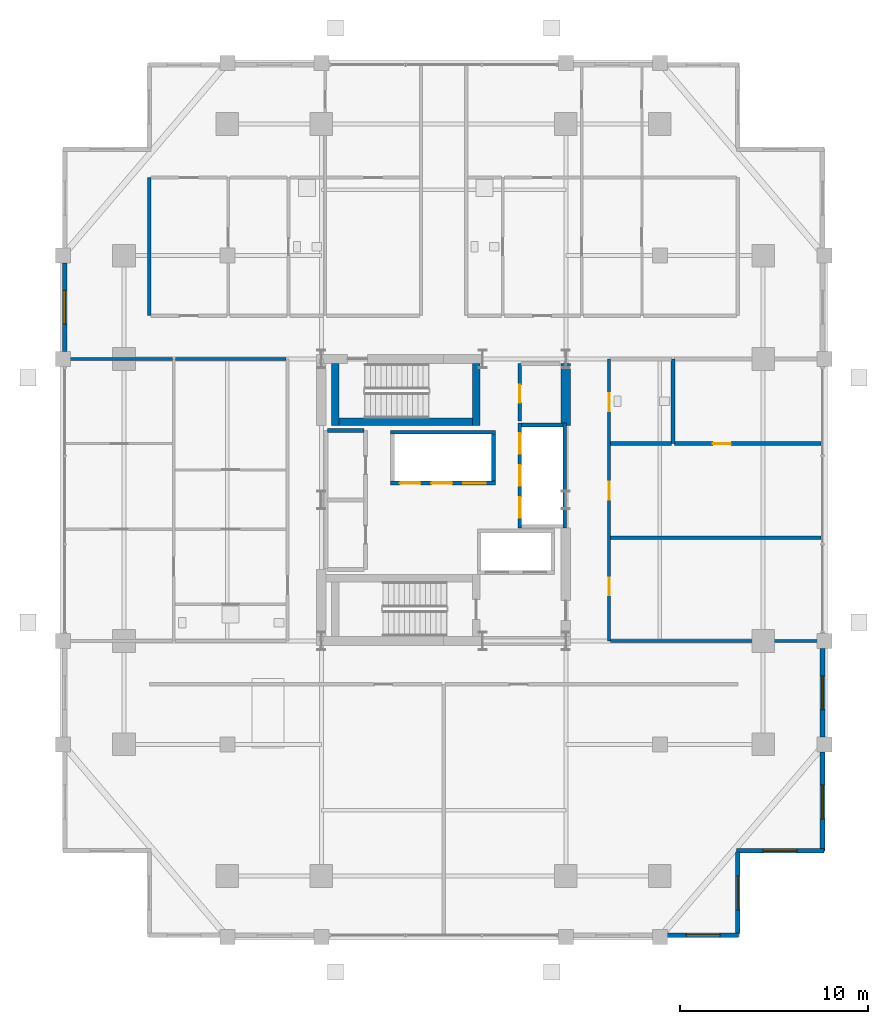
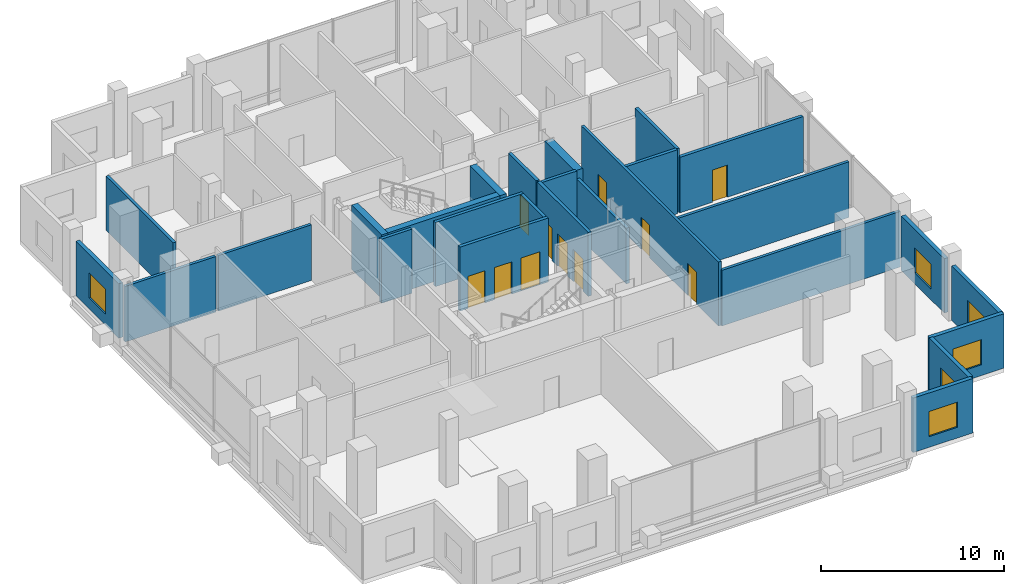
# One storey, part 15 of 19: 27 walls, 11 doors, 6 windows, 17 openings.
"""IFC4 building model written with IfcOpenShell, lengths in metres."""

from ifc_helpers import new_model, si_unit, direction, frame, frame_2d, origin, place, context, subcontext, project, spatial, rectangle, extrude, material, layer, layer_set, type_object, element, fill, save


model = new_model("IFC4")

# Units and contexts
model_context = context("Model", 3, precision=1e-05, world=origin(), true_north=direction((0.0, 1.0)))
body_context = subcontext(model_context, "Body", "Model", "MODEL_VIEW")
ifc_project = project(units=[si_unit("LENGTHUNIT", "METRE"), si_unit("AREAUNIT", "SQUARE_METRE"), si_unit("VOLUMEUNIT", "CUBIC_METRE"), si_unit("PLANEANGLEUNIT", "RADIAN"), si_unit("MASSUNIT", "GRAM", prefix="KILO")], contexts=[model_context])

# Site, building, storey
site_placement = place(None, origin())
site = spatial("IfcSite", under=ifc_project, at=site_placement, CompositionType="ELEMENT")
building_placement = place(site_placement, origin())
building = spatial("IfcBuilding", under=site, at=building_placement, Name="Barlavira Tower and Art Museum", CompositionType="ELEMENT")
storey_placement = place(building_placement, frame((0.0, 0.0, 125.10009765625)))
storey = spatial("IfcBuildingStorey", under=building, at=storey_placement, Name="L31", CompositionType="ELEMENT", Elevation=125.10009765625)

# Wall
ifc_material_1 = material(Name="Concrete C60", Category="concrete")
ifc_layer_1 = layer(ifc_material_1, 0.5, Name="Concrete C60")
ifc_layer_set_1 = layer_set([ifc_layer_1], Name="Concrete C60")
wall_type_1 = type_object("IfcWallType", Name="Core Structural Shear Wall 500 Concrete C60", PredefinedType="SHEAR", material=ifc_layer_set_1)
wall_1_placement = place(storey_placement, frame((6.5, 3.949951171875, 0.0), z_axis=(0.0, 0.0, 1.0), x_axis=(0.0, 1.0, 0.0)))
element("IfcWall", 1, at=wall_1_placement, inside=storey, type_object=wall_type_1, Name="L31 Core Shear Wall CS-E2", PredefinedType="SHEAR", context=body_context, shape_type="SweptSolid", body=[
    extrude(rectangle(XDim=3.300048828125, YDim=0.5, at=frame_2d((1.64990234375, 0.0))), origin(), (0.0, 0.0, 1.0), 4.27978515625),
])

# Wall, openings, doors
ifc_material_2 = material(Name="Autoclaved aerated concrete masonry", Category="masonry")
ifc_layer_2 = layer(ifc_material_2, 0.199951171875, Name="Autoclaved aerated concrete masonry")
ifc_layer_set_2 = layer_set([ifc_layer_2], Name="Autoclaved aerated concrete masonry")
wall_type_2 = type_object("IfcWallType", Name="Fire Compartment and Shaft Wall 200", PredefinedType="SOLIDWALL", material=ifc_layer_set_2)
wall_2_placement = place(storey_placement, frame((4.050048828125, -1.489990234375, 0.0), z_axis=(0.0, 0.0, 1.0), x_axis=(0.0, 1.0, 0.0)))
wall_2 = element("IfcWall", 2, at=wall_2_placement, inside=storey, type_object=wall_type_2, Name="L31 Mid-Rise Lift Front Shaft Wall", PredefinedType="SOLIDWALL", context=body_context, shape_type="SweptSolid", body=[
    extrude(rectangle(XDim=5.580078125, YDim=0.199951171875, at=frame_2d((2.7900390625, 0.0))), origin(), (0.0, 0.0, 1.0), 4.27978515625),
])
opening_1_placement = place(wall_2_placement, frame((0.5400390625, 0.0, 0.0)))
opening_1 = element("IfcOpeningElement", 3, at=opening_1_placement, cuts=wall_2, Name="Opening LD-P", PredefinedType="OPENING", context=body_context, shape_type="SweptSolid", body=[
    extrude(rectangle(XDim=1.10009765625, YDim=2.14990234375, at=frame_2d((0.550048828125, 1.074951171875))), frame((0.0, 0.10986328125, 0.0), z_axis=(0.0, -1.0, 0.0), x_axis=(1.0, 0.0, 0.0)), (0.0, 0.0, 1.0), 0.219970703125),
])
opening_2_placement = place(wall_2_placement, frame((2.239990234375, 0.0, 0.0)))
opening_2 = element("IfcOpeningElement", 4, at=opening_2_placement, cuts=wall_2, Name="Opening LD-P", PredefinedType="OPENING", context=body_context, shape_type="SweptSolid", body=[
    extrude(rectangle(XDim=1.10009765625, YDim=2.14990234375, at=frame_2d((0.550048828125, 1.074951171875))), frame((0.0, 0.10986328125, 0.0), z_axis=(0.0, -1.0, 0.0), x_axis=(1.0, 0.0, 0.0)), (0.0, 0.0, 1.0), 0.219970703125),
])
opening_3_placement = place(wall_2_placement, frame((3.93994140625, 0.0, 0.0)))
opening_3 = element("IfcOpeningElement", 5, at=opening_3_placement, cuts=wall_2, Name="Opening LD-P", PredefinedType="OPENING", context=body_context, shape_type="SweptSolid", body=[
    extrude(rectangle(XDim=1.10009765625, YDim=2.14990234375, at=frame_2d((0.550048828125, 1.074951171875))), frame((0.0, 0.10986328125, 0.0), z_axis=(0.0, -1.0, 0.0), x_axis=(1.0, 0.0, 0.0)), (0.0, 0.0, 1.0), 0.219970703125),
])
ifc_material_3 = material(Name="Brushed stainless steel", Category="steel")
door_type_1 = type_object("IfcDoorType", Name="Passenger Lift Sliding Landing Door 1100x2150 FD60", OperationType="NOTDEFINED", PredefinedType="DOOR", material=ifc_material_3)
door_1_placement = place(opening_1_placement, origin())
door_1 = element("IfcDoor", 6, at=door_1_placement, inside=storey, type_object=door_type_1, Name="L31 Lift PM1 Sliding Landing Door", OperationType="DOUBLE_DOOR_SLIDING", OverallHeight=2.14990234375, OverallWidth=1.10009765625, PredefinedType="DOOR", context=body_context, shape_type="SweptSolid", body=[
    extrude(rectangle(XDim=1.10009765625, YDim=2.14990234375, at=frame_2d((0.550048828125, 1.074951171875))), frame((0.0, 0.02490234375, 0.0), z_axis=(0.0, -1.0, 0.0), x_axis=(1.0, 0.0, 0.0)), (0.0, 0.0, 1.0), 0.050048828125),
])
fill(opening_1, door_1)
door_2_placement = place(opening_2_placement, origin())
door_2 = element("IfcDoor", 7, at=door_2_placement, inside=storey, type_object=door_type_1, Name="L31 Lift PM2 Sliding Landing Door", OperationType="DOUBLE_DOOR_SLIDING", OverallHeight=2.14990234375, OverallWidth=1.10009765625, PredefinedType="DOOR", context=body_context, shape_type="SweptSolid", body=[
    extrude(rectangle(XDim=1.10009765625, YDim=2.14990234375, at=frame_2d((0.550048828125, 1.074951171875))), frame((0.0, 0.02490234375, 0.0), z_axis=(0.0, -1.0, 0.0), x_axis=(1.0, 0.0, 0.0)), (0.0, 0.0, 1.0), 0.050048828125),
])
fill(opening_2, door_2)
door_3_placement = place(opening_3_placement, origin())
door_3 = element("IfcDoor", 8, at=door_3_placement, inside=storey, type_object=door_type_1, Name="L31 Lift PM3 Sliding Landing Door", OperationType="DOUBLE_DOOR_SLIDING", OverallHeight=2.14990234375, OverallWidth=1.10009765625, PredefinedType="DOOR", context=body_context, shape_type="SweptSolid", body=[
    extrude(rectangle(XDim=1.10009765625, YDim=2.14990234375, at=frame_2d((0.550048828125, 1.074951171875))), frame((0.0, 0.02490234375, 0.0), z_axis=(0.0, -1.0, 0.0), x_axis=(1.0, 0.0, 0.0)), (0.0, 0.0, 1.0), 0.050048828125),
])
fill(opening_3, door_3)

# Walls
wall_3_placement = place(storey_placement, frame((6.449951171875, -1.489990234375, 0.0), z_axis=(0.0, 0.0, 1.0), x_axis=(0.0, 1.0, 0.0)))
element("IfcWall", 9, at=wall_3_placement, inside=storey, type_object=wall_type_2, Name="L31 Mid-Rise Lift Back Shaft Wall", PredefinedType="SOLIDWALL", context=body_context, shape_type="SweptSolid", body=[
    extrude(rectangle(XDim=5.580078125, YDim=0.199951171875, at=frame_2d((2.7900390625, 0.0))), origin(), (0.0, 0.0, 1.0), 3.7158203125),
])
wall_4_placement = place(storey_placement, frame((4.14990234375, 3.989990234375, 0.0), z_axis=(0.0, 0.0, 1.0), x_axis=(1.0, 0.0, 0.0)))
element("IfcWall", 10, at=wall_4_placement, inside=storey, type_object=wall_type_2, Name="L31 Mid-Rise Lift North Shaft Wall", PredefinedType="SOLIDWALL", context=body_context, shape_type="SweptSolid", body=[
    extrude(rectangle(XDim=2.2001953125, YDim=0.199951171875, at=frame_2d((1.10009765625, 0.0))), origin(), (0.0, 0.0, 1.0), 4.27978515625),
])

# Wall, openings, doors
wall_5_placement = place(storey_placement, frame((-2.820068359375, 0.89990234375, 0.0), z_axis=(0.0, 0.0, 1.0), x_axis=(1.0, 0.0, 0.0)))
wall_5 = element("IfcWall", 11, at=wall_5_placement, inside=storey, type_object=wall_type_2, Name="L31 High-Rise & Service Lift Front Wall", PredefinedType="SOLIDWALL", context=body_context, shape_type="SweptSolid", body=[
    extrude(rectangle(XDim=5.580078125, YDim=0.199951171875, at=frame_2d((2.7900390625, 0.0))), origin(), (0.0, 0.0, 1.0), 4.27978515625),
])
opening_4_placement = place(wall_5_placement, frame((0.489990234375, 0.0, 0.0)))
opening_4 = element("IfcOpeningElement", 12, at=opening_4_placement, cuts=wall_5, Name="Opening LD-P", PredefinedType="OPENING", context=body_context, shape_type="SweptSolid", body=[
    extrude(rectangle(XDim=1.10009765625, YDim=2.14990234375, at=frame_2d((0.550048828125, 1.074951171875))), frame((0.0, 0.10986328125, 0.0), z_axis=(0.0, -1.0, 0.0), x_axis=(1.0, 0.0, 0.0)), (0.0, 0.0, 1.0), 0.219970703125),
])
opening_5_placement = place(wall_5_placement, frame((2.169921875, 0.0, 0.0)))
opening_5 = element("IfcOpeningElement", 13, at=opening_5_placement, cuts=wall_5, Name="Opening LD-P", PredefinedType="OPENING", context=body_context, shape_type="SweptSolid", body=[
    extrude(rectangle(XDim=1.10009765625, YDim=2.14990234375, at=frame_2d((0.550048828125, 1.074951171875))), frame((0.0, 0.10986328125, 0.0), z_axis=(0.0, -1.0, 0.0), x_axis=(1.0, 0.0, 0.0)), (0.0, 0.0, 1.0), 0.219970703125),
])
opening_6_placement = place(wall_5_placement, frame((3.860107421875, 0.0, 0.0)))
opening_6 = element("IfcOpeningElement", 14, at=opening_6_placement, cuts=wall_5, Name="Opening LD-F", PredefinedType="OPENING", context=body_context, shape_type="SweptSolid", body=[
    extrude(rectangle(XDim=1.199951171875, YDim=2.199951171875, at=frame_2d((0.60009765625, 1.10009765625))), frame((0.0, 0.10986328125, 0.0), z_axis=(0.0, -1.0, 0.0), x_axis=(1.0, 0.0, 0.0)), (0.0, 0.0, 1.0), 0.219970703125),
])
door_type_2 = type_object("IfcDoorType", Name="Firefighting and Service Lift Sliding Door 1200x2200 FD120", OperationType="NOTDEFINED", PredefinedType="DOOR", material=ifc_material_3)
door_4_placement = place(opening_6_placement, origin())
door_4 = element("IfcDoor", 15, at=door_4_placement, inside=storey, type_object=door_type_2, Name="L31 Stretcher Service Lift SL1 Sliding Door", OperationType="DOUBLE_DOOR_SLIDING", OverallHeight=2.199951171875, OverallWidth=1.199951171875, PredefinedType="DOOR", context=body_context, shape_type="SweptSolid", body=[
    extrude(rectangle(XDim=1.199951171875, YDim=2.199951171875, at=frame_2d((0.60009765625, 1.10009765625))), frame((0.0, 0.02490234375, 0.0), z_axis=(0.0, -1.0, 0.0), x_axis=(1.0, 0.0, 0.0)), (0.0, 0.0, 1.0), 0.050048828125),
])
fill(opening_6, door_4)
door_5_placement = place(opening_4_placement, origin())
door_5 = element("IfcDoor", 16, at=door_5_placement, inside=storey, type_object=door_type_1, Name="L31 Lift PH1 Sliding Landing Door", OperationType="DOUBLE_DOOR_SLIDING", OverallHeight=2.14990234375, OverallWidth=1.10009765625, PredefinedType="DOOR", context=body_context, shape_type="SweptSolid", body=[
    extrude(rectangle(XDim=1.10009765625, YDim=2.14990234375, at=frame_2d((0.550048828125, 1.074951171875))), frame((0.0, 0.02490234375, 0.0), z_axis=(0.0, -1.0, 0.0), x_axis=(1.0, 0.0, 0.0)), (0.0, 0.0, 1.0), 0.050048828125),
])
fill(opening_4, door_5)
door_6_placement = place(opening_5_placement, origin())
door_6 = element("IfcDoor", 17, at=door_6_placement, inside=storey, type_object=door_type_1, Name="L31 Lift PH2 Sliding Landing Door", OperationType="DOUBLE_DOOR_SLIDING", OverallHeight=2.14990234375, OverallWidth=1.10009765625, PredefinedType="DOOR", context=body_context, shape_type="SweptSolid", body=[
    extrude(rectangle(XDim=1.10009765625, YDim=2.14990234375, at=frame_2d((0.550048828125, 1.074951171875))), frame((0.0, 0.02490234375, 0.0), z_axis=(0.0, -1.0, 0.0), x_axis=(1.0, 0.0, 0.0)), (0.0, 0.0, 1.0), 0.050048828125),
])
fill(opening_5, door_6)

# Walls
wall_6_placement = place(storey_placement, frame((-2.820068359375, 3.60009765625, 0.0), z_axis=(0.0, 0.0, 1.0), x_axis=(1.0, 0.0, 0.0)))
element("IfcWall", 18, at=wall_6_placement, inside=storey, type_object=wall_type_2, Name="L31 High-Rise & Service Lift Back Wall", PredefinedType="SOLIDWALL", context=body_context, shape_type="SweptSolid", body=[
    extrude(rectangle(XDim=5.580078125, YDim=0.199951171875, at=frame_2d((2.7900390625, 0.0))), origin(), (0.0, 0.0, 1.0), 4.27978515625),
])
wall_7_placement = place(storey_placement, frame((2.659912109375, 1.0, 0.0), z_axis=(0.0, 0.0, 1.0), x_axis=(0.0, 1.0, 0.0)))
element("IfcWall", 19, at=wall_7_placement, inside=storey, type_object=wall_type_2, Name="L31 High-Rise & Service Lift East Wall", PredefinedType="SOLIDWALL", context=body_context, shape_type="SweptSolid", body=[
    extrude(rectangle(XDim=2.5, YDim=0.199951171875, at=frame_2d((1.25, 0.0))), origin(), (0.0, 0.0, 1.0), 4.27978515625),
])

# Wall, opening, door
wall_8_placement = place(storey_placement, frame((4.050048828125, 4.199951171875, 0.0), z_axis=(0.0, 0.0, 1.0), x_axis=(0.0, 1.0, 0.0)))
wall_8 = element("IfcWall", 20, at=wall_8_placement, inside=storey, type_object=wall_type_2, Name="L31 Partition Wall 13", PredefinedType="SOLIDWALL", context=body_context, shape_type="SweptSolid", body=[
    extrude(rectangle(XDim=3.050048828125, YDim=0.199951171875, at=frame_2d((1.52490234375, 0.0))), origin(), (0.0, 0.0, 1.0), 4.27978515625),
])
opening_7_placement = place(wall_8_placement, frame((0.97509765625, 0.0, 0.0)))
opening_7 = element("IfcOpeningElement", 21, at=opening_7_placement, cuts=wall_8, Name="Opening FD-60", PredefinedType="OPENING", context=body_context, shape_type="SweptSolid", body=[
    extrude(rectangle(XDim=0.949951171875, YDim=2.14990234375, at=frame_2d((0.47509765625, 1.074951171875))), frame((0.0, 0.10986328125, 0.0), z_axis=(0.0, -1.0, 0.0), x_axis=(1.0, 0.0, 0.0)), (0.0, 0.0, 1.0), 0.219970703125),
])
door_type_3 = type_object("IfcDoorType", Name="Apartment Entrance and Riser Fire Door 950x2150 FD60S", OperationType="NOTDEFINED", PredefinedType="DOOR", material=ifc_material_3)
door_7_placement = place(opening_7_placement, origin())
door_7 = element("IfcDoor", 22, at=door_7_placement, inside=storey, type_object=door_type_3, Name="Combined Electrical and Telecom Plant Room Door", OperationType="SINGLE_SWING_RIGHT", OverallHeight=2.14990234375, OverallWidth=0.949951171875, PredefinedType="DOOR", context=body_context, shape_type="SweptSolid", body=[
    extrude(rectangle(XDim=0.949951171875, YDim=2.14990234375, at=frame_2d((0.47509765625, 1.074951171875))), frame((0.0, 0.02490234375, 0.0), z_axis=(0.0, -1.0, 0.0), x_axis=(1.0, 0.0, 0.0)), (0.0, 0.0, 1.0), 0.050048828125),
])
fill(opening_7, door_7)

# Walls
wall_9_placement = place(storey_placement, frame((12.199951171875, 3.0, 0.0), z_axis=(0.0, 0.0, 1.0), x_axis=(0.0, 1.0, 0.0)))
element("IfcWall", 23, at=wall_9_placement, inside=storey, type_object=wall_type_2, Name="L31 Partition Wall 17", PredefinedType="SOLIDWALL", context=body_context, shape_type="SweptSolid", body=[
    extrude(rectangle(XDim=4.5, YDim=0.199951171875, at=frame_2d((2.25, 0.0))), origin(), (0.0, 0.0, 1.0), 4.27978515625),
])
wall_10_placement = place(storey_placement, frame((8.8798828125, 3.0, 0.0), z_axis=(0.0, 0.0, 1.0), x_axis=(1.0, 0.0, 0.0)))
element("IfcWall", 24, at=wall_10_placement, inside=storey, type_object=wall_type_2, Name="L31 Partition Wall 32", PredefinedType="SOLIDWALL", context=body_context, shape_type="SweptSolid", body=[
    extrude(rectangle(XDim=3.240234375, YDim=0.199951171875, at=frame_2d((1.6201171875, 0.0))), origin(), (0.0, 0.0, 1.0), 4.27978515625),
])

# Wall, opening, door
wall_11_placement = place(storey_placement, frame((12.280029296875, 3.0, 0.0), z_axis=(0.0, 0.0, 1.0), x_axis=(1.0, 0.0, 0.0)))
wall_11 = element("IfcWall", 25, at=wall_11_placement, inside=storey, type_object=wall_type_2, Name="L31 Partition Wall 33", PredefinedType="SOLIDWALL", context=body_context, shape_type="SweptSolid", body=[
    extrude(rectangle(XDim=7.7900390625, YDim=0.199951171875, at=frame_2d((3.89501953125, 0.0))), origin(), (0.0, 0.0, 1.0), 3.7158203125),
])
opening_8_placement = place(wall_11_placement, frame((2.044921875, 0.0, 0.0)))
opening_8 = element("IfcOpeningElement", 26, at=opening_8_placement, cuts=wall_11, Name="Opening FD-60", PredefinedType="OPENING", context=body_context, shape_type="SweptSolid", body=[
    extrude(rectangle(XDim=0.949951171875, YDim=2.14990234375, at=frame_2d((0.47509765625, 1.074951171875))), frame((0.0, 0.10986328125, 0.0), z_axis=(0.0, -1.0, 0.0), x_axis=(1.0, 0.0, 0.0)), (0.0, 0.0, 1.0), 0.219970703125),
])
door_8_placement = place(opening_8_placement, origin())
door_8 = element("IfcDoor", 27, at=door_8_placement, inside=storey, type_object=door_type_3, Name="Sky Concierge Luggage Store Door", OperationType="SINGLE_SWING_RIGHT", OverallHeight=2.14990234375, OverallWidth=0.949951171875, PredefinedType="DOOR", context=body_context, shape_type="SweptSolid", body=[
    extrude(rectangle(XDim=0.949951171875, YDim=2.14990234375, at=frame_2d((0.47509765625, 1.074951171875))), frame((0.0, 0.02490234375, 0.0), z_axis=(0.0, -1.0, 0.0), x_axis=(1.0, 0.0, 0.0)), (0.0, 0.0, 1.0), 0.050048828125),
])
fill(opening_8, door_8)

# Walls
wall_12_placement = place(storey_placement, frame((-6.169921875, 3.699951171875, 0.0), z_axis=(0.0, 0.0, 1.0), x_axis=(1.0, 0.0, 0.0)))
element("IfcWall", 28, at=wall_12_placement, inside=storey, type_object=wall_type_2, Name="L31 Partition Wall 34", PredefinedType="SOLIDWALL", context=body_context, shape_type="SweptSolid", body=[
    extrude(rectangle(XDim=1.93994140625, YDim=0.199951171875, at=frame_2d((0.969970703125, 0.0))), origin(), (0.0, 0.0, 1.0), 4.27978515625),
])
ifc_material_4 = material(Name="Gypsum acoustic stud partition", Category="gypsum")
ifc_layer_3 = layer(ifc_material_4, 0.179931640625, Name="Gypsum acoustic stud partition")
ifc_layer_set_3 = layer_set([ifc_layer_3], Name="Gypsum acoustic stud partition")
wall_type_3 = type_object("IfcWallType", Name="Inter-Tenancy Party Partition Wall 180", PredefinedType="PARTITIONING", material=ifc_layer_set_3)
wall_13_placement = place(storey_placement, frame((-15.64990234375, 9.800048828125, 0.0), z_axis=(0.0, 0.0, 1.0), x_axis=(0.0, 1.0, 0.0)))
element("IfcWall", 29, at=wall_13_placement, inside=storey, type_object=wall_type_3, Name="L31 Partition Wall 1", PredefinedType="PARTITIONING", context=body_context, shape_type="SweptSolid", body=[
    extrude(rectangle(XDim=7.349853515625, YDim=0.179931640625, at=frame_2d((3.6748046875, 0.0))), origin(), (0.0, 0.0, 1.0), 3.635986328125),
])

# Wall, openings, doors
wall_14_placement = place(storey_placement, frame((8.800048828125, -7.5, 0.0), z_axis=(0.0, 0.0, 1.0), x_axis=(0.0, 1.0, 0.0)))
wall_14 = element("IfcWall", 30, at=wall_14_placement, inside=storey, type_object=wall_type_3, Name="L31 Partition Wall 15", PredefinedType="PARTITIONING", context=body_context, shape_type="SweptSolid", body=[
    extrude(rectangle(XDim=15.0, YDim=0.179931640625, at=frame_2d((7.5, 0.0))), origin(), (0.0, 0.0, 1.0), 4.27978515625),
])
opening_9_placement = place(wall_14_placement, frame((2.425048828125, 0.0, 0.0)))
opening_9 = element("IfcOpeningElement", 31, at=opening_9_placement, cuts=wall_14, Name="Opening FD-60", PredefinedType="OPENING", context=body_context, shape_type="SweptSolid", body=[
    extrude(rectangle(XDim=0.949951171875, YDim=2.14990234375, at=frame_2d((0.47509765625, 1.074951171875))), frame((0.0, 0.10009765625, 0.0), z_axis=(0.0, -1.0, 0.0), x_axis=(1.0, 0.0, 0.0)), (0.0, 0.0, 1.0), 0.199951171875),
])
opening_10_placement = place(wall_14_placement, frame((7.52490234375, 0.0, 0.0)))
opening_10 = element("IfcOpeningElement", 32, at=opening_10_placement, cuts=wall_14, Name="Opening FD-60", PredefinedType="OPENING", context=body_context, shape_type="SweptSolid", body=[
    extrude(rectangle(XDim=0.949951171875, YDim=2.14990234375, at=frame_2d((0.47509765625, 1.074951171875))), frame((0.0, 0.10009765625, 0.0), z_axis=(0.0, -1.0, 0.0), x_axis=(1.0, 0.0, 0.0)), (0.0, 0.0, 1.0), 0.199951171875),
])
opening_11_placement = place(wall_14_placement, frame((12.22509765625, 0.0, 0.0)))
opening_11 = element("IfcOpeningElement", 33, at=opening_11_placement, cuts=wall_14, Name="Opening FD-60", PredefinedType="OPENING", context=body_context, shape_type="SweptSolid", body=[
    extrude(rectangle(XDim=0.949951171875, YDim=2.14990234375, at=frame_2d((0.47509765625, 1.074951171875))), frame((0.0, 0.10009765625, 0.0), z_axis=(0.0, -1.0, 0.0), x_axis=(1.0, 0.0, 0.0)), (0.0, 0.0, 1.0), 0.199951171875),
])
door_9_placement = place(opening_9_placement, origin())
door_9 = element("IfcDoor", 34, at=door_9_placement, inside=storey, type_object=door_type_3, Name="Shared Sky Cafe Preparation Kitchen Door", OperationType="SINGLE_SWING_LEFT", OverallHeight=2.14990234375, OverallWidth=0.949951171875, PredefinedType="DOOR", context=body_context, shape_type="SweptSolid", body=[
    extrude(rectangle(XDim=0.949951171875, YDim=2.14990234375, at=frame_2d((0.47509765625, 1.074951171875))), frame((0.0, 0.02490234375, 0.0), z_axis=(0.0, -1.0, 0.0), x_axis=(1.0, 0.0, 0.0)), (0.0, 0.0, 1.0), 0.050048828125),
])
fill(opening_9, door_9)
door_10_placement = place(opening_10_placement, origin())
door_10 = element("IfcDoor", 35, at=door_10_placement, inside=storey, type_object=door_type_3, Name="Sky Executive Meeting Suite Door", OperationType="SINGLE_SWING_RIGHT", OverallHeight=2.14990234375, OverallWidth=0.949951171875, PredefinedType="DOOR", context=body_context, shape_type="SweptSolid", body=[
    extrude(rectangle(XDim=0.949951171875, YDim=2.14990234375, at=frame_2d((0.47509765625, 1.074951171875))), frame((0.0, 0.02490234375, 0.0), z_axis=(0.0, -1.0, 0.0), x_axis=(1.0, 0.0, 0.0)), (0.0, 0.0, 1.0), 0.050048828125),
])
fill(opening_10, door_10)
door_11_placement = place(opening_11_placement, origin())
door_11 = element("IfcDoor", 36, at=door_11_placement, inside=storey, type_object=door_type_3, Name="Sky Lobby Accessible Restroom Door", OperationType="SINGLE_SWING_LEFT", OverallHeight=2.14990234375, OverallWidth=0.949951171875, PredefinedType="DOOR", context=body_context, shape_type="SweptSolid", body=[
    extrude(rectangle(XDim=0.949951171875, YDim=2.14990234375, at=frame_2d((0.47509765625, 1.074951171875))), frame((0.0, 0.02490234375, 0.0), z_axis=(0.0, -1.0, 0.0), x_axis=(1.0, 0.0, 0.0)), (0.0, 0.0, 1.0), 0.050048828125),
])
fill(opening_11, door_11)

# Walls
wall_15_placement = place(storey_placement, frame((8.8798828125, -7.5, 0.0), z_axis=(0.0, 0.0, 1.0), x_axis=(1.0, 0.0, 0.0)))
element("IfcWall", 37, at=wall_15_placement, inside=storey, type_object=wall_type_3, Name="L31 Partition Wall 23", PredefinedType="PARTITIONING", context=body_context, shape_type="SweptSolid", body=[
    extrude(rectangle(XDim=11.27001953125, YDim=0.179931640625, at=frame_2d((5.635009765625, 0.0))), origin(), (0.0, 0.0, 1.0), 3.7158203125),
])
wall_16_placement = place(storey_placement, frame((8.8798828125, -2.0, 0.0), z_axis=(0.0, 0.0, 1.0), x_axis=(1.0, 0.0, 0.0)))
element("IfcWall", 38, at=wall_16_placement, inside=storey, type_object=wall_type_3, Name="L31 Partition Wall 26", PredefinedType="PARTITIONING", context=body_context, shape_type="SweptSolid", body=[
    extrude(rectangle(XDim=11.190185546875, YDim=0.179931640625, at=frame_2d((5.59521484375, 0.0))), origin(), (0.0, 0.0, 1.0), 3.7158203125),
])
wall_17_placement = place(storey_placement, frame((-20.14990234375, 7.5, 0.0), z_axis=(0.0, 0.0, 1.0), x_axis=(1.0, 0.0, 0.0)))
element("IfcWall", 39, at=wall_17_placement, inside=storey, type_object=wall_type_3, Name="L31 Partition Wall 36", PredefinedType="PARTITIONING", context=body_context, shape_type="SweptSolid", body=[
    extrude(rectangle(XDim=5.719970703125, YDim=0.179931640625, at=frame_2d((2.85986328125, 0.0))), origin(), (0.0, 0.0, 1.0), 3.7158203125),
])
wall_18_placement = place(storey_placement, frame((-14.27001953125, 7.5, 0.0), z_axis=(0.0, 0.0, 1.0), x_axis=(1.0, 0.0, 0.0)))
element("IfcWall", 40, at=wall_18_placement, inside=storey, type_object=wall_type_3, Name="L31 Partition Wall 37", PredefinedType="PARTITIONING", context=body_context, shape_type="SweptSolid", body=[
    extrude(rectangle(XDim=5.89013671875, YDim=0.179931640625, at=frame_2d((2.945068359375, 0.0))), origin(), (0.0, 0.0, 1.0), 3.7158203125),
])

# Wall, opening, window
ifc_material_5 = material(Name="Precast concrete C40", Category="concrete")
ifc_layer_4 = layer(ifc_material_5, 0.25, Name="Precast concrete C40")
ifc_layer_set_4 = layer_set([ifc_layer_4], Name="Precast concrete C40")
wall_type_4 = type_object("IfcWallType", Name="Notched Corner Spandrel Wall 250 Precast Concrete C40", PredefinedType="SOLIDWALL", material=ifc_layer_set_4)
wall_19_placement = place(storey_placement, frame((11.89501953125, -23.14990234375, 0.0), z_axis=(0.0, 0.0, 1.0), x_axis=(1.0, 0.0, 0.0)))
wall_19 = element("IfcWall", 41, at=wall_19_placement, inside=storey, type_object=wall_type_4, Name="L31 Coastal Facade Pier Wall CW2-L31-S-5", PredefinedType="SOLIDWALL", context=body_context, shape_type="SweptSolid", body=[
    extrude(rectangle(XDim=3.780029296875, YDim=0.25, at=frame_2d((1.89013671875, 0.0))), origin(), (0.0, 0.0, 1.0), 3.635986328125),
])
opening_12_placement = place(wall_19_placement, frame((1.012939453125, 0.0, 0.719970703125)))
opening_12 = element("IfcOpeningElement", 42, at=opening_12_placement, cuts=wall_19, Name="Opening WN-01", PredefinedType="OPENING", context=body_context, shape_type="SweptSolid", body=[
    extrude(rectangle(XDim=1.800048828125, YDim=1.679931640625, at=frame_2d((0.89990234375, 0.83984375))), frame((0.0, 0.135009765625, 0.0), z_axis=(0.0, -1.0, 0.0), x_axis=(1.0, 0.0, 0.0)), (0.0, 0.0, 1.0), 0.27001953125),
])
ifc_material_6 = material(Name="Low-iron coastal laminated glass", Category="glass")
window_type = type_object("IfcWindowType", Name="Recessed Notch Corner Punch Window 1800x1680", PartitioningType="SINGLE_PANEL", PredefinedType="WINDOW", material=ifc_material_6)
window_1_placement = place(opening_12_placement, origin())
window_1 = element("IfcWindow", 43, at=window_1_placement, inside=storey, type_object=window_type, Name="L31 Punched Facade Window EWP-CW2-L31-S-5-1", OverallHeight=1.679931640625, OverallWidth=1.800048828125, PartitioningType="SINGLE_PANEL", PredefinedType="WINDOW", context=body_context, shape_type="SweptSolid", body=[
    extrude(rectangle(XDim=1.800048828125, YDim=1.679931640625, at=frame_2d((0.89990234375, 0.83984375))), frame((0.0, 0.030029296875, 0.0), z_axis=(0.0, -1.0, 0.0), x_axis=(1.0, 0.0, 0.0)), (0.0, 0.0, 1.0), 0.06005859375),
])
fill(opening_12, window_1)

wall_20_placement = place(storey_placement, frame((-20.14990234375, 12.60498046875, 0.0), z_axis=(0.0, 0.0, 1.0), x_axis=(0.0, -1.0, 0.0)))
wall_20 = element("IfcWall", 44, at=wall_20_placement, inside=storey, type_object=wall_type_4, Name="L31 Coastal Facade Pier Wall CW2-L31-W-2", PredefinedType="SOLIDWALL", context=body_context, shape_type="SweptSolid", body=[
    extrude(rectangle(XDim=4.7099609375, YDim=0.25, at=frame_2d((2.35498046875, 0.0))), origin(), (0.0, 0.0, 1.0), 3.635986328125),
])
opening_13_placement = place(wall_20_placement, frame((1.455078125, 0.0, 0.719970703125)))
opening_13 = element("IfcOpeningElement", 45, at=opening_13_placement, cuts=wall_20, Name="Opening WN-01", PredefinedType="OPENING", context=body_context, shape_type="SweptSolid", body=[
    extrude(rectangle(XDim=1.800048828125, YDim=1.679931640625, at=frame_2d((0.89990234375, 0.83984375))), frame((0.0, 0.135009765625, 0.0), z_axis=(0.0, -1.0, 0.0), x_axis=(1.0, 0.0, 0.0)), (0.0, 0.0, 1.0), 0.27001953125),
])
window_2_placement = place(opening_13_placement, origin())
window_2 = element("IfcWindow", 46, at=window_2_placement, inside=storey, type_object=window_type, Name="L31 Punched Facade Window EWP-CW2-L31-W-2-1", OverallHeight=1.679931640625, OverallWidth=1.800048828125, PartitioningType="SINGLE_PANEL", PredefinedType="WINDOW", context=body_context, shape_type="SweptSolid", body=[
    extrude(rectangle(XDim=1.800048828125, YDim=1.679931640625, at=frame_2d((0.89990234375, 0.83984375))), frame((0.0, 0.030029296875, 0.0), z_axis=(0.0, -1.0, 0.0), x_axis=(1.0, 0.0, 0.0)), (0.0, 0.0, 1.0), 0.06005859375),
])
fill(opening_13, window_2)

wall_21_placement = place(storey_placement, frame((20.14990234375, -18.675048828125, 0.0), z_axis=(0.0, 0.0, 1.0), x_axis=(0.0, 1.0, 0.0)))
wall_21 = element("IfcWall", 47, at=wall_21_placement, inside=storey, type_object=wall_type_4, Name="L31 Coastal Facade Pier Wall CW2-L31-E-1", PredefinedType="SOLIDWALL", context=body_context, shape_type="SweptSolid", body=[
    extrude(rectangle(XDim=5.280029296875, YDim=0.25, at=frame_2d((2.64013671875, 0.0))), origin(), (0.0, 0.0, 1.0), 3.635986328125),
])
opening_14_placement = place(wall_21_placement, frame((1.718017578125, 0.0, 0.719970703125)))
opening_14 = element("IfcOpeningElement", 48, at=opening_14_placement, cuts=wall_21, Name="Opening WN-01", PredefinedType="OPENING", context=body_context, shape_type="SweptSolid", body=[
    extrude(rectangle(XDim=1.800048828125, YDim=1.679931640625, at=frame_2d((0.89990234375, 0.83984375))), frame((0.0, 0.135009765625, 0.0), z_axis=(0.0, -1.0, 0.0), x_axis=(1.0, 0.0, 0.0)), (0.0, 0.0, 1.0), 0.27001953125),
])
window_3_placement = place(opening_14_placement, origin())
window_3 = element("IfcWindow", 49, at=window_3_placement, inside=storey, type_object=window_type, Name="L31 Punched Facade Window EWP-CW2-L31-E-1-1", OverallHeight=1.679931640625, OverallWidth=1.800048828125, PartitioningType="SINGLE_PANEL", PredefinedType="WINDOW", context=body_context, shape_type="SweptSolid", body=[
    extrude(rectangle(XDim=1.800048828125, YDim=1.679931640625, at=frame_2d((0.89990234375, 0.83984375))), frame((0.0, 0.030029296875, 0.0), z_axis=(0.0, -1.0, 0.0), x_axis=(1.0, 0.0, 0.0)), (0.0, 0.0, 1.0), 0.06005859375),
])
fill(opening_14, window_3)

wall_22_placement = place(storey_placement, frame((20.14990234375, -12.60498046875, 0.0), z_axis=(0.0, 0.0, 1.0), x_axis=(0.0, 1.0, 0.0)))
wall_22 = element("IfcWall", 50, at=wall_22_placement, inside=storey, type_object=wall_type_4, Name="L31 Coastal Facade Pier Wall CW2-L31-E-2", PredefinedType="SOLIDWALL", context=body_context, shape_type="SweptSolid", body=[
    extrude(rectangle(XDim=4.7099609375, YDim=0.25, at=frame_2d((2.35498046875, 0.0))), origin(), (0.0, 0.0, 1.0), 3.635986328125),
])
opening_15_placement = place(wall_22_placement, frame((1.455078125, 0.0, 0.719970703125)))
opening_15 = element("IfcOpeningElement", 51, at=opening_15_placement, cuts=wall_22, Name="Opening WN-01", PredefinedType="OPENING", context=body_context, shape_type="SweptSolid", body=[
    extrude(rectangle(XDim=1.800048828125, YDim=1.679931640625, at=frame_2d((0.89990234375, 0.83984375))), frame((0.0, 0.135009765625, 0.0), z_axis=(0.0, -1.0, 0.0), x_axis=(1.0, 0.0, 0.0)), (0.0, 0.0, 1.0), 0.27001953125),
])
window_4_placement = place(opening_15_placement, origin())
window_4 = element("IfcWindow", 52, at=window_4_placement, inside=storey, type_object=window_type, Name="L31 Punched Facade Window EWP-CW2-L31-E-2-1", OverallHeight=1.679931640625, OverallWidth=1.800048828125, PartitioningType="SINGLE_PANEL", PredefinedType="WINDOW", context=body_context, shape_type="SweptSolid", body=[
    extrude(rectangle(XDim=1.800048828125, YDim=1.679931640625, at=frame_2d((0.89990234375, 0.83984375))), frame((0.0, 0.030029296875, 0.0), z_axis=(0.0, -1.0, 0.0), x_axis=(1.0, 0.0, 0.0)), (0.0, 0.0, 1.0), 0.06005859375),
])
fill(opening_15, window_4)

wall_23_placement = place(storey_placement, frame((15.64990234375, -23.070068359375, 0.0), z_axis=(0.0, 0.0, 1.0), x_axis=(0.0, 1.0, 0.0)))
wall_23 = element("IfcWall", 53, at=wall_23_placement, inside=storey, type_object=wall_type_4, Name="L31 Notch Corner Wall SE1", PredefinedType="SOLIDWALL", context=body_context, shape_type="SweptSolid", body=[
    extrude(rectangle(XDim=4.340087890625, YDim=0.25, at=frame_2d((2.169921875, 0.0))), origin(), (0.0, 0.0, 1.0), 3.635986328125),
])
opening_16_placement = place(wall_23_placement, frame((1.27001953125, 0.0, 0.719970703125)))
opening_16 = element("IfcOpeningElement", 54, at=opening_16_placement, cuts=wall_23, Name="Opening WN-01", PredefinedType="OPENING", context=body_context, shape_type="SweptSolid", body=[
    extrude(rectangle(XDim=1.800048828125, YDim=1.679931640625, at=frame_2d((0.89990234375, 0.83984375))), frame((0.0, 0.135009765625, 0.0), z_axis=(0.0, -1.0, 0.0), x_axis=(1.0, 0.0, 0.0)), (0.0, 0.0, 1.0), 0.27001953125),
])
window_5_placement = place(opening_16_placement, origin())
window_5 = element("IfcWindow", 55, at=window_5_placement, inside=storey, type_object=window_type, Name="L31 Punched Facade Window EW-NTC-L31-SE1-1", OverallHeight=1.679931640625, OverallWidth=1.800048828125, PartitioningType="SINGLE_PANEL", PredefinedType="WINDOW", context=body_context, shape_type="SweptSolid", body=[
    extrude(rectangle(XDim=1.800048828125, YDim=1.679931640625, at=frame_2d((0.89990234375, 0.83984375))), frame((0.0, 0.030029296875, 0.0), z_axis=(0.0, -1.0, 0.0), x_axis=(1.0, 0.0, 0.0)), (0.0, 0.0, 1.0), 0.06005859375),
])
fill(opening_16, window_5)

wall_24_placement = place(storey_placement, frame((15.570068359375, -18.64990234375, 0.0), z_axis=(0.0, 0.0, 1.0), x_axis=(1.0, 0.0, 0.0)))
wall_24 = element("IfcWall", 56, at=wall_24_placement, inside=storey, type_object=wall_type_4, Name="L31 Notch Corner Wall SE2", PredefinedType="SOLIDWALL", context=body_context, shape_type="SweptSolid", body=[
    extrude(rectangle(XDim=4.659912109375, YDim=0.25, at=frame_2d((2.330078125, 0.0))), origin(), (0.0, 0.0, 1.0), 3.635986328125),
])
opening_17_placement = place(wall_24_placement, frame((1.429931640625, 0.0, 0.719970703125)))
opening_17 = element("IfcOpeningElement", 57, at=opening_17_placement, cuts=wall_24, Name="Opening WN-01", PredefinedType="OPENING", context=body_context, shape_type="SweptSolid", body=[
    extrude(rectangle(XDim=1.800048828125, YDim=1.679931640625, at=frame_2d((0.89990234375, 0.83984375))), frame((0.0, 0.135009765625, 0.0), z_axis=(0.0, -1.0, 0.0), x_axis=(1.0, 0.0, 0.0)), (0.0, 0.0, 1.0), 0.27001953125),
])
window_6_placement = place(opening_17_placement, origin())
window_6 = element("IfcWindow", 58, at=window_6_placement, inside=storey, type_object=window_type, Name="L31 Punched Facade Window EW-NTC-L31-SE2-1", OverallHeight=1.679931640625, OverallWidth=1.800048828125, PartitioningType="SINGLE_PANEL", PredefinedType="WINDOW", context=body_context, shape_type="SweptSolid", body=[
    extrude(rectangle(XDim=1.800048828125, YDim=1.679931640625, at=frame_2d((0.89990234375, 0.83984375))), frame((0.0, 0.030029296875, 0.0), z_axis=(0.0, -1.0, 0.0), x_axis=(1.0, 0.0, 0.0)), (0.0, 0.0, 1.0), 0.06005859375),
])
fill(opening_17, window_6)

# Walls
ifc_material_7 = material(Name="Concrete C55", Category="concrete")
ifc_layer_5 = layer(ifc_material_7, 0.39990234375, Name="Concrete C55")
ifc_layer_set_5 = layer_set([ifc_layer_5], Name="Concrete C55")
wall_type_5 = type_object("IfcWallType", Name="Upper Core Shear Wall 400 Concrete C55", PredefinedType="SHEAR", material=ifc_layer_set_5)
wall_25_placement = place(storey_placement, frame((-5.550048828125, 4.14990234375, 0.0), z_axis=(0.0, 0.0, 1.0), x_axis=(1.0, 0.0, 0.0)))
element("IfcWall", 59, at=wall_25_placement, inside=storey, type_object=wall_type_5, Name="L31 ST-T2 South Shaft Wall", PredefinedType="SHEAR", context=body_context, shape_type="SweptSolid", body=[
    extrude(rectangle(XDim=7.080078125, YDim=0.39990234375, at=frame_2d((3.5400390625, 0.0))), origin(), (0.0, 0.0, 1.0), 4.27978515625),
])
for number, where, z_axis, x_axis, name in (
    (60, (1.72998046875, 3.949951171875, 0.0), (0.0, 0.0, 1.0), (0.0, 1.0, 0.0), "L31 ST-T2 East Half-Landing Wall"),
    (61, (-5.75, 3.949951171875, 0.0), (0.0, 0.0, 1.0), (0.0, 1.0, 0.0), "L31 ST-T2 West Shaft Wall"),
):
    element("IfcWall", number, at=place(storey_placement, frame(where, z_axis=z_axis, x_axis=x_axis)), inside=storey, type_object=wall_type_5, Name=name, PredefinedType="SHEAR", context=body_context, shape_type="SweptSolid", body=[
        extrude(rectangle(XDim=3.300048828125, YDim=0.39990234375, at=frame_2d((1.64990234375, 0.0))), origin(), (0.0, 0.0, 1.0), 4.27978515625),
    ])

save(model, "model.ifc")
